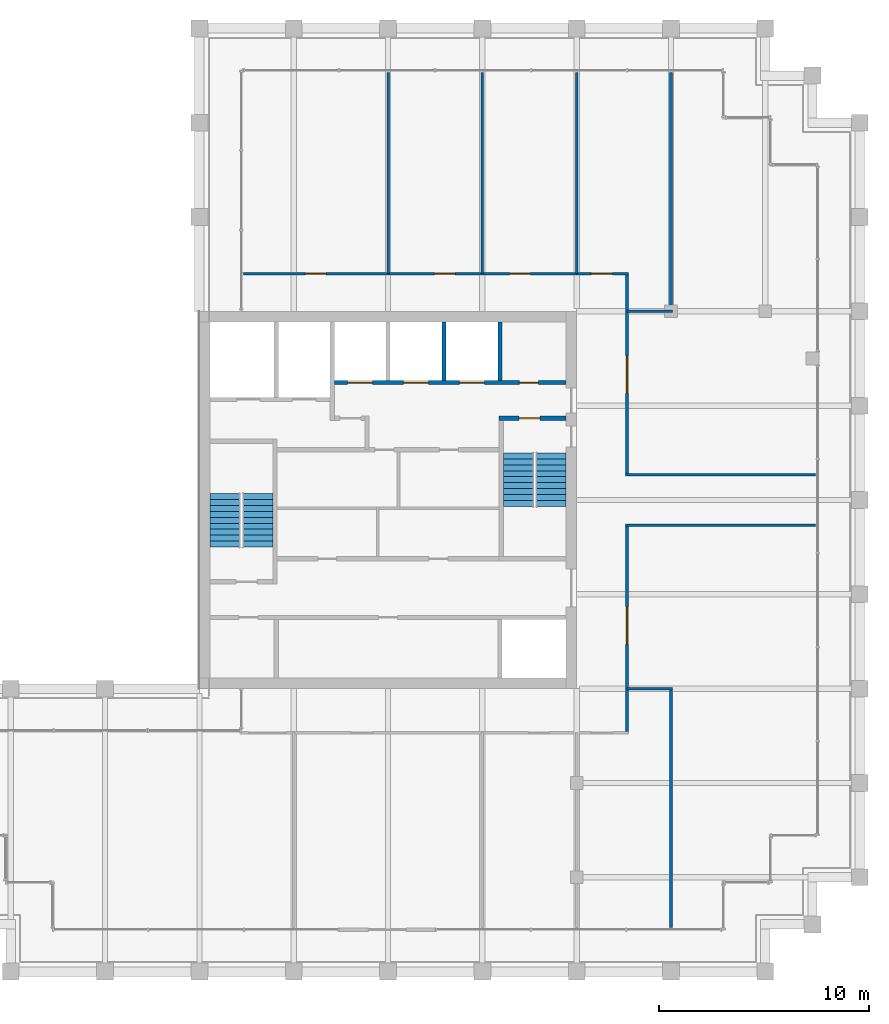
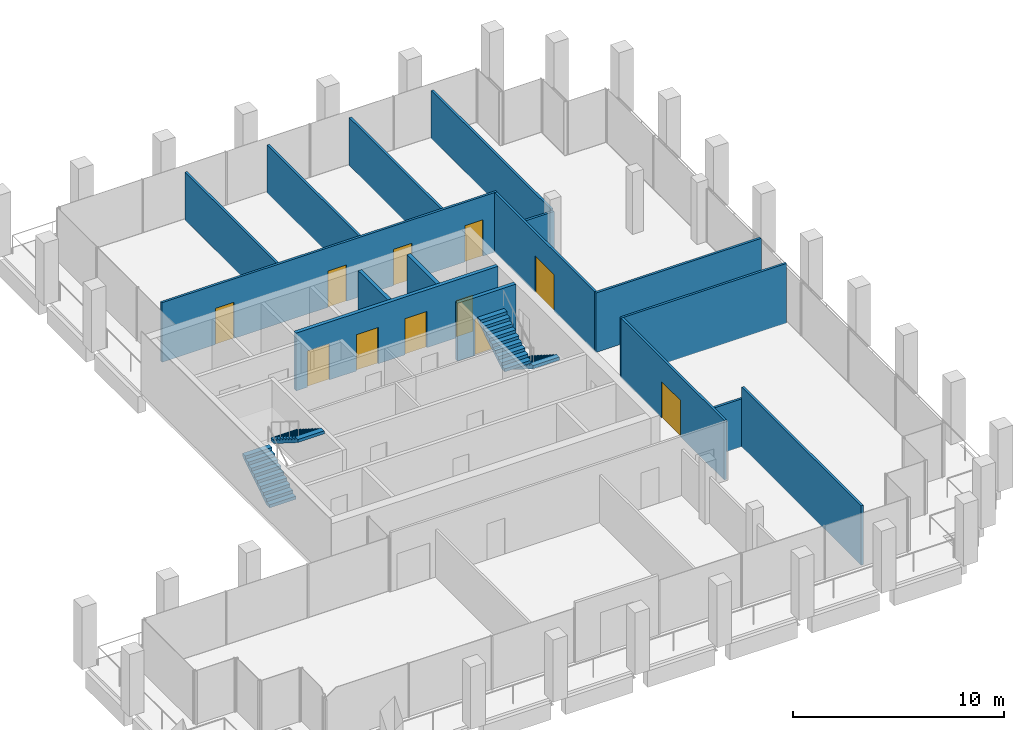
# One storey, part 29 of 30: 16 walls, 11 doors, 4 stair flights, 11 openings, 2 elements without a shape of their own.
"""IFC4 building model written with IfcOpenShell, lengths in metres."""

from ifc_helpers import new_model, si_unit, direction, frame, frame_2d, origin, place, context, subcontext, project, spatial, polyline, rectangle, outline, extrude, material, layer, layer_set, type_object, element, fill, aggregate, save


model = new_model("IFC4")

# Units and contexts
model_context = context("Model", 3, precision=1e-05, world=origin(), true_north=direction((0.0, 1.0)))
body_context = subcontext(model_context, "Body", "Model", "MODEL_VIEW")
ifc_project = project(units=[si_unit("LENGTHUNIT", "METRE"), si_unit("AREAUNIT", "SQUARE_METRE"), si_unit("VOLUMEUNIT", "CUBIC_METRE"), si_unit("PLANEANGLEUNIT", "RADIAN"), si_unit("MASSUNIT", "GRAM", prefix="KILO")], contexts=[model_context])

# Site, building, storey
site_placement = place(None, origin())
site = spatial("IfcSite", under=ifc_project, at=site_placement, CompositionType="ELEMENT")
building_placement = place(site_placement, origin())
building = spatial("IfcBuilding", under=site, at=building_placement, Name="Altepetl Exchange Towers", CompositionType="ELEMENT")
storey_placement = place(building_placement, frame((0.0, 0.0, 224.39990234375)))
storey = spatial("IfcBuildingStorey", under=building, at=storey_placement, Name="L57", CompositionType="ELEMENT", Elevation=224.39990234375)

# Walls
ifc_material_1 = material(Name="Timber panels on aluminium track", Category="wood")
ifc_layer_1 = layer(ifc_material_1, 0.125)
ifc_layer_set_1 = layer_set([ifc_layer_1], Name="Timber panels on aluminium track")
wall_type_1 = type_object("IfcWallType", Name="Operable acoustic partition 125", PredefinedType="MOVABLE", material=ifc_layer_set_1)
wall_1_placement = place(storey_placement, frame((58.5, 60.300048828125, 0.0), z_axis=(0.0, 0.0, 1.0), x_axis=(0.0, 1.0, 0.0)))
element("IfcWall", 1, at=wall_1_placement, inside=storey, type_object=wall_type_1, Name="wall:A:L57:P14", PredefinedType="MOVABLE", context=body_context, shape_type="SweptSolid", body=[
    extrude(rectangle(XDim=9.599853515625, YDim=0.125, at=frame_2d((4.7998046875, 0.0))), origin(), (0.0, 0.0, 1.0), 2.772216796875),
])
ifc_material_2 = material(Name="Gypsum board on steel studs", Category="steel")
ifc_layer_2 = layer(ifc_material_2, 0.125)
ifc_layer_set_2 = layer_set([ifc_layer_2], Name="Gypsum board on steel studs")
wall_type_2 = type_object("IfcWallType", Name="Partition 125 gypsum board on steel studs", PredefinedType="PARTITIONING", material=ifc_layer_set_2)
wall_2_placement = place(storey_placement, frame((60.89990234375, 40.5, 0.0)))
element("IfcWall", 2, at=wall_2_placement, inside=storey, type_object=wall_type_2, Name="wall:A:L57:P02", PredefinedType="PARTITIONING", context=body_context, shape_type="SweptSolid", body=[
    extrude(rectangle(XDim=2.16259765625, YDim=0.125, at=frame_2d((1.081298828125, 0.0))), origin(), (0.0, 0.0, 1.0), 2.772216796875),
])
for number, where, name in (
    (3, (60.83740234375, 48.300048828125, 0.0), "wall:A:L57:P03"),
    (4, (60.83740234375, 50.699951171875, 0.0), "wall:A:L57:P04"),
):
    element("IfcWall", number, at=place(storey_placement, frame(where)), inside=storey, type_object=wall_type_2, Name=name, PredefinedType="PARTITIONING", context=body_context, shape_type="SweptSolid", body=[
        extrude(rectangle(XDim=9.0625, YDim=0.125, at=frame_2d((4.53125, 0.0))), origin(), (0.0, 0.0, 1.0), 3.4501953125),
    ])
wall_3_placement = place(storey_placement, frame((60.89990234375, 58.5, 0.0)))
element("IfcWall", 5, at=wall_3_placement, inside=storey, type_object=wall_type_2, Name="wall:A:L57:P05", PredefinedType="PARTITIONING", context=body_context, shape_type="SweptSolid", body=[
    extrude(rectangle(XDim=2.16259765625, YDim=0.125, at=frame_2d((1.081298828125, 0.0))), origin(), (0.0, 0.0, 1.0), 2.676025390625),
])

# Wall, openings, doors
wall_4_placement = place(storey_placement, frame((42.60009765625, 60.300048828125, 0.0)))
wall_4 = element("IfcWall", 6, at=wall_4_placement, inside=storey, type_object=wall_type_2, Name="wall:A:L57:P06", PredefinedType="PARTITIONING", context=body_context, shape_type="SweptSolid", body=[
    extrude(rectangle(XDim=18.3623046875, YDim=0.125, at=frame_2d((9.18115234375, 0.0))), origin(), (0.0, 0.0, 1.0), 3.4501953125),
])
opening_1_placement = place(wall_4_placement, frame((16.60009765625, 0.0, 0.0)))
opening_1 = element("IfcOpeningElement", 7, at=opening_1_placement, cuts=wall_4, Name="Opening L57.A07", PredefinedType="OPENING", context=body_context, shape_type="SweptSolid", body=[
    extrude(rectangle(XDim=1.0, YDim=2.10009765625, at=frame_2d((0.5, 1.050048828125))), frame((0.0, 0.072509765625, 0.0), z_axis=(0.0, -1.0, 0.0), x_axis=(1.0, 0.0, 0.0)), (0.0, 0.0, 1.0), 0.14501953125),
])
opening_2_placement = place(wall_4_placement, frame((12.695068359375, 0.0, 0.0)))
opening_2 = element("IfcOpeningElement", 8, at=opening_2_placement, cuts=wall_4, Name="Opening L57.A08", PredefinedType="OPENING", context=body_context, shape_type="SweptSolid", body=[
    extrude(rectangle(XDim=1.0, YDim=2.10009765625, at=frame_2d((0.5, 1.050048828125))), frame((0.0, 0.072509765625, 0.0), z_axis=(0.0, -1.0, 0.0), x_axis=(1.0, 0.0, 0.0)), (0.0, 0.0, 1.0), 0.14501953125),
])
opening_3_placement = place(wall_4_placement, frame((9.10498046875, 0.0, 0.0)))
opening_3 = element("IfcOpeningElement", 9, at=opening_3_placement, cuts=wall_4, Name="Opening L57.A09", PredefinedType="OPENING", context=body_context, shape_type="SweptSolid", body=[
    extrude(rectangle(XDim=1.0, YDim=2.10009765625, at=frame_2d((0.5, 1.050048828125))), frame((0.0, 0.072509765625, 0.0), z_axis=(0.0, -1.0, 0.0), x_axis=(1.0, 0.0, 0.0)), (0.0, 0.0, 1.0), 0.14501953125),
])
opening_4_placement = place(wall_4_placement, frame((2.949951171875, 0.0, 0.0)))
opening_4 = element("IfcOpeningElement", 10, at=opening_4_placement, cuts=wall_4, Name="Opening L57.A10", PredefinedType="OPENING", context=body_context, shape_type="SweptSolid", body=[
    extrude(rectangle(XDim=1.0, YDim=2.10009765625, at=frame_2d((0.5, 1.050048828125))), frame((0.0, 0.072509765625, 0.0), z_axis=(0.0, -1.0, 0.0), x_axis=(1.0, 0.0, 0.0)), (0.0, 0.0, 1.0), 0.14501953125),
])
ifc_material_3 = material(Name="Steel and timber fire door", Category="steel")
door_type_1 = type_object("IfcDoorType", Name="Fire door 1000 x 2100 single leaf", OperationType="SINGLE_SWING_LEFT", PredefinedType="DOOR", material=ifc_material_3)
door_1_placement = place(opening_1_placement, origin())
door_1 = element("IfcDoor", 11, at=door_1_placement, inside=storey, type_object=door_type_1, Name="door:A:L57:07", OperationType="SINGLE_SWING_RIGHT", OverallHeight=2.10009765625, OverallWidth=1.0, PredefinedType="DOOR", context=body_context, shape_type="SweptSolid", body=[
    extrude(rectangle(XDim=1.0, YDim=2.10009765625, at=frame_2d((0.5, 1.050048828125))), frame((0.0, 0.02490234375, 0.0), z_axis=(0.0, -1.0, 0.0), x_axis=(1.0, 0.0, 0.0)), (0.0, 0.0, 1.0), 0.050048828125),
])
fill(opening_1, door_1)
door_2_placement = place(opening_2_placement, origin())
door_2 = element("IfcDoor", 12, at=door_2_placement, inside=storey, type_object=door_type_1, Name="door:A:L57:08", OperationType="SINGLE_SWING_LEFT", OverallHeight=2.10009765625, OverallWidth=1.0, PredefinedType="DOOR", context=body_context, shape_type="SweptSolid", body=[
    extrude(rectangle(XDim=1.0, YDim=2.10009765625, at=frame_2d((0.5, 1.050048828125))), frame((0.0, 0.02490234375, 0.0), z_axis=(0.0, -1.0, 0.0), x_axis=(1.0, 0.0, 0.0)), (0.0, 0.0, 1.0), 0.050048828125),
])
fill(opening_2, door_2)
door_3_placement = place(opening_3_placement, origin())
door_3 = element("IfcDoor", 13, at=door_3_placement, inside=storey, type_object=door_type_1, Name="door:A:L57:09", OperationType="SINGLE_SWING_RIGHT", OverallHeight=2.10009765625, OverallWidth=1.0, PredefinedType="DOOR", context=body_context, shape_type="SweptSolid", body=[
    extrude(rectangle(XDim=1.0, YDim=2.10009765625, at=frame_2d((0.5, 1.050048828125))), frame((0.0, 0.02490234375, 0.0), z_axis=(0.0, -1.0, 0.0), x_axis=(1.0, 0.0, 0.0)), (0.0, 0.0, 1.0), 0.050048828125),
])
fill(opening_3, door_3)
door_4_placement = place(opening_4_placement, origin())
door_4 = element("IfcDoor", 14, at=door_4_placement, inside=storey, type_object=door_type_1, Name="door:A:L57:10", OperationType="SINGLE_SWING_RIGHT", OverallHeight=2.10009765625, OverallWidth=1.0, PredefinedType="DOOR", context=body_context, shape_type="SweptSolid", body=[
    extrude(rectangle(XDim=1.0, YDim=2.10009765625, at=frame_2d((0.5, 1.050048828125))), frame((0.0, 0.02490234375, 0.0), z_axis=(0.0, -1.0, 0.0), x_axis=(1.0, 0.0, 0.0)), (0.0, 0.0, 1.0), 0.050048828125),
])
fill(opening_4, door_4)

# Walls
for number, where, z_axis, x_axis, name in (
    (15, (49.5, 60.300048828125, 0.0), (0.0, 0.0, 1.0), (0.0, 1.0, 0.0), "wall:A:L57:P08"),
    (16, (54.0, 60.300048828125, 0.0), (0.0, 0.0, 1.0), (0.0, 1.0, 0.0), "wall:A:L57:P10"),
):
    element("IfcWall", number, at=place(storey_placement, frame(where, z_axis=z_axis, x_axis=x_axis)), inside=storey, type_object=wall_type_2, Name=name, PredefinedType="PARTITIONING", context=body_context, shape_type="SweptSolid", body=[
        extrude(rectangle(XDim=9.599853515625, YDim=0.125, at=frame_2d((4.7998046875, 0.0))), origin(), (0.0, 0.0, 1.0), 2.772216796875),
    ])

# Wall, opening, door
wall_5_placement = place(storey_placement, frame((60.89990234375, 38.46240234375, 0.0), z_axis=(0.0, 0.0, 1.0), x_axis=(0.0, 1.0, 0.0)))
wall_5 = element("IfcWall", 17, at=wall_5_placement, inside=storey, type_object=wall_type_2, Name="wall:A:L57:P15", PredefinedType="PARTITIONING", context=body_context, shape_type="SweptSolid", body=[
    extrude(rectangle(XDim=9.775146484375, YDim=0.125, at=frame_2d((4.8876953125, 0.0))), origin(), (0.0, 0.0, 1.0), 3.4501953125),
])
opening_5_placement = place(wall_5_placement, frame((4.1455078125, 0.0, 0.0)))
opening_5 = element("IfcOpeningElement", 18, at=opening_5_placement, cuts=wall_5, Name="Opening L57.A05", PredefinedType="OPENING", context=body_context, shape_type="SweptSolid", body=[
    extrude(rectangle(XDim=1.800048828125, YDim=2.10009765625, at=frame_2d((0.89990234375, 1.050048828125))), frame((0.0, 0.072509765625, 0.0), z_axis=(0.0, -1.0, 0.0), x_axis=(1.0, 0.0, 0.0)), (0.0, 0.0, 1.0), 0.14501953125),
])
door_type_2 = type_object("IfcDoorType", Name="Fire door 1800 x 2100 double leaf", OperationType="DOUBLE_DOOR_SINGLE_SWING", PredefinedType="DOOR", material=ifc_material_3)
door_5_placement = place(opening_5_placement, frame((1.800048828125, 0.0, 0.0), x_axis=(-1.0, 0.0, 0.0)))
door_5 = element("IfcDoor", 19, at=door_5_placement, inside=storey, type_object=door_type_2, Name="door:A:L57:05", OperationType="DOUBLE_DOOR_SINGLE_SWING", OverallHeight=2.10009765625, OverallWidth=1.800048828125, PredefinedType="DOOR", context=body_context, shape_type="SweptSolid", body=[
    extrude(rectangle(XDim=1.800048828125, YDim=2.10009765625, at=frame_2d((0.89990234375, 1.050048828125))), frame((0.0, 0.02490234375, 0.0), z_axis=(0.0, -1.0, 0.0), x_axis=(1.0, 0.0, 0.0)), (0.0, 0.0, 1.0), 0.050048828125),
])
fill(opening_5, door_5)

wall_6_placement = place(storey_placement, frame((60.89990234375, 50.762451171875, 0.0), z_axis=(0.0, 0.0, 1.0), x_axis=(0.0, 1.0, 0.0)))
wall_6 = element("IfcWall", 20, at=wall_6_placement, inside=storey, type_object=wall_type_2, Name="wall:A:L57:P16", PredefinedType="PARTITIONING", context=body_context, shape_type="SweptSolid", body=[
    extrude(rectangle(XDim=9.47509765625, YDim=0.125, at=frame_2d((4.737548828125, 0.0))), origin(), (0.0, 0.0, 1.0), 3.4501953125),
])
opening_6_placement = place(wall_6_placement, frame((3.82958984375, 0.0, 0.0)))
opening_6 = element("IfcOpeningElement", 21, at=opening_6_placement, cuts=wall_6, Name="Opening L57.A06", PredefinedType="OPENING", context=body_context, shape_type="SweptSolid", body=[
    extrude(rectangle(XDim=1.800048828125, YDim=2.10009765625, at=frame_2d((0.89990234375, 1.050048828125))), frame((0.0, 0.072509765625, 0.0), z_axis=(0.0, -1.0, 0.0), x_axis=(1.0, 0.0, 0.0)), (0.0, 0.0, 1.0), 0.14501953125),
])
door_6_placement = place(opening_6_placement, frame((1.800048828125, 0.0, 0.0), x_axis=(-1.0, 0.0, 0.0)))
door_6 = element("IfcDoor", 22, at=door_6_placement, inside=storey, type_object=door_type_2, Name="door:A:L57:06", OperationType="DOUBLE_DOOR_SINGLE_SWING", OverallHeight=2.10009765625, OverallWidth=1.800048828125, PredefinedType="DOOR", context=body_context, shape_type="SweptSolid", body=[
    extrude(rectangle(XDim=1.800048828125, YDim=2.10009765625, at=frame_2d((0.89990234375, 1.050048828125))), frame((0.0, 0.02490234375, 0.0), z_axis=(0.0, -1.0, 0.0), x_axis=(1.0, 0.0, 0.0)), (0.0, 0.0, 1.0), 0.050048828125),
])
fill(opening_6, door_6)

# Walls
wall_7_placement = place(storey_placement, frame((63.0, 29.10009765625, 0.0), z_axis=(0.0, 0.0, 1.0), x_axis=(0.0, 1.0, 0.0)))
element("IfcWall", 23, at=wall_7_placement, inside=storey, type_object=wall_type_2, Name="wall:A:L57:P17", PredefinedType="PARTITIONING", context=body_context, shape_type="SweptSolid", body=[
    extrude(rectangle(XDim=11.33740234375, YDim=0.125, at=frame_2d((5.668701171875, 0.0))), origin(), (0.0, 0.0, 1.0), 3.4501953125),
])
wall_8_placement = place(storey_placement, frame((63.0, 58.5625, 0.0), z_axis=(0.0, 0.0, 1.0), x_axis=(0.0, 1.0, 0.0)))
element("IfcWall", 24, at=wall_8_placement, inside=storey, type_object=wall_type_2, Name="wall:A:L57:P18", PredefinedType="PARTITIONING", context=body_context, shape_type="SweptSolid", body=[
    extrude(rectangle(XDim=11.33740234375, YDim=0.125, at=frame_2d((5.668701171875, 0.0))), origin(), (0.0, 0.0, 1.0), 2.772216796875),
])
ifc_material_4 = material(Name="Concrete C40/50", Category="concrete")
ifc_layer_3 = layer(ifc_material_4, 0.199951171875)
ifc_layer_set_3 = layer_set([ifc_layer_3], Name="Concrete C40/50")
wall_type_3 = type_object("IfcWallType", Name="Shaft wall 200 reinforced concrete", PredefinedType="SHEAR", material=ifc_layer_set_3)
for number, where, z_axis, x_axis, name in (
    (25, (52.166748046875, 58.0, 0.0), (0.0, 0.0, 1.0), (0.0, -1.0, 0.0), "wall:A:L57:K-divN4"),
    (26, (54.833251953125, 58.0, 0.0), (0.0, 0.0, 1.0), (0.0, -1.0, 0.0), "wall:A:L57:K-divN5"),
):
    element("IfcWall", number, at=place(storey_placement, frame(where, z_axis=z_axis, x_axis=x_axis)), inside=storey, type_object=wall_type_3, Name=name, PredefinedType="SHEAR", context=body_context, shape_type="SweptSolid", body=[
        extrude(rectangle(XDim=2.800048828125, YDim=0.199951171875, at=frame_2d((1.39990234375, 0.0))), origin(), (0.0, 0.0, 1.0), 3.35009765625),
    ])

# Wall, openings, doors
wall_9_placement = place(storey_placement, frame((46.933349609375, 55.10009765625, 0.0)))
wall_9 = element("IfcWall", 27, at=wall_9_placement, inside=storey, type_object=wall_type_3, Name="wall:A:L57:K-frontNb", PredefinedType="SHEAR", context=body_context, shape_type="SweptSolid", body=[
    extrude(rectangle(XDim=11.066650390625, YDim=0.199951171875, at=frame_2d((5.533203125, 0.0))), origin(), (0.0, 0.0, 1.0), 3.35009765625),
])
opening_7_placement = place(wall_9_placement, frame((8.83349609375, 0.0, 0.0)))
opening_7 = element("IfcOpeningElement", 28, at=opening_7_placement, cuts=wall_9, Name="Opening L57.A66", PredefinedType="OPENING", context=body_context, shape_type="SweptSolid", body=[
    extrude(rectangle(XDim=0.89990234375, YDim=2.10009765625, at=frame_2d((0.449951171875, 1.050048828125))), frame((0.0, 0.10986328125, 0.0), z_axis=(0.0, -1.0, 0.0), x_axis=(1.0, 0.0, 0.0)), (0.0, 0.0, 1.0), 0.219970703125),
])
opening_8_placement = place(wall_9_placement, frame((0.63330078125, 0.0, 0.0)))
opening_8 = element("IfcOpeningElement", 29, at=opening_8_placement, cuts=wall_9, Name="Opening L57.A75", PredefinedType="OPENING", context=body_context, shape_type="SweptSolid", body=[
    extrude(rectangle(XDim=1.199951171875, YDim=2.10009765625, at=frame_2d((0.60009765625, 1.050048828125))), frame((0.0, 0.10986328125, 0.0), z_axis=(0.0, -1.0, 0.0), x_axis=(1.0, 0.0, 0.0)), (0.0, 0.0, 1.0), 0.219970703125),
])
opening_9_placement = place(wall_9_placement, frame((3.300048828125, 0.0, 0.0)))
opening_9 = element("IfcOpeningElement", 30, at=opening_9_placement, cuts=wall_9, Name="Opening L57.A76", PredefinedType="OPENING", context=body_context, shape_type="SweptSolid", body=[
    extrude(rectangle(XDim=1.199951171875, YDim=2.10009765625, at=frame_2d((0.60009765625, 1.050048828125))), frame((0.0, 0.10986328125, 0.0), z_axis=(0.0, -1.0, 0.0), x_axis=(1.0, 0.0, 0.0)), (0.0, 0.0, 1.0), 0.219970703125),
])
opening_10_placement = place(wall_9_placement, frame((5.966796875, 0.0, 0.0)))
opening_10 = element("IfcOpeningElement", 31, at=opening_10_placement, cuts=wall_9, Name="Opening L57.A77", PredefinedType="OPENING", context=body_context, shape_type="SweptSolid", body=[
    extrude(rectangle(XDim=1.199951171875, YDim=2.10009765625, at=frame_2d((0.60009765625, 1.050048828125))), frame((0.0, 0.10986328125, 0.0), z_axis=(0.0, -1.0, 0.0), x_axis=(1.0, 0.0, 0.0)), (0.0, 0.0, 1.0), 0.219970703125),
])
door_type_3 = type_object("IfcDoorType", Name="Fire door 900 x 2100 service room", OperationType="SINGLE_SWING_LEFT", PredefinedType="DOOR", material=ifc_material_3)
door_7_placement = place(opening_7_placement, origin())
door_7 = element("IfcDoor", 32, at=door_7_placement, inside=storey, type_object=door_type_3, Name="door:A:L57:K-driser", OperationType="SINGLE_SWING_RIGHT", OverallHeight=2.10009765625, OverallWidth=0.89990234375, PredefinedType="DOOR", context=body_context, shape_type="SweptSolid", body=[
    extrude(rectangle(XDim=0.89990234375, YDim=2.10009765625, at=frame_2d((0.449951171875, 1.050048828125))), frame((0.0, 0.02490234375, 0.0), z_axis=(0.0, -1.0, 0.0), x_axis=(1.0, 0.0, 0.0)), (0.0, 0.0, 1.0), 0.050048828125),
])
fill(opening_7, door_7)
ifc_material_5 = material(Name="Stainless steel", Category="steel")
door_type_4 = type_object("IfcDoorType", Name="Lift landing door 1200 x 2100", OperationType="SLIDING_TO_LEFT", PredefinedType="DOOR", material=ifc_material_5)
door_8_placement = place(opening_8_placement, origin())
door_8 = element("IfcDoor", 33, at=door_8_placement, inside=storey, type_object=door_type_4, Name="Landing door P5", OperationType="SLIDING_TO_LEFT", OverallHeight=2.10009765625, OverallWidth=1.199951171875, PredefinedType="DOOR", context=body_context, shape_type="SweptSolid", body=[
    extrude(rectangle(XDim=1.199951171875, YDim=2.10009765625, at=frame_2d((0.60009765625, 1.050048828125))), frame((0.0, 0.02490234375, 0.0), z_axis=(0.0, -1.0, 0.0), x_axis=(1.0, 0.0, 0.0)), (0.0, 0.0, 1.0), 0.050048828125),
])
fill(opening_8, door_8)
door_9_placement = place(opening_9_placement, origin())
door_9 = element("IfcDoor", 34, at=door_9_placement, inside=storey, type_object=door_type_4, Name="Landing door P6", OperationType="SLIDING_TO_LEFT", OverallHeight=2.10009765625, OverallWidth=1.199951171875, PredefinedType="DOOR", context=body_context, shape_type="SweptSolid", body=[
    extrude(rectangle(XDim=1.199951171875, YDim=2.10009765625, at=frame_2d((0.60009765625, 1.050048828125))), frame((0.0, 0.02490234375, 0.0), z_axis=(0.0, -1.0, 0.0), x_axis=(1.0, 0.0, 0.0)), (0.0, 0.0, 1.0), 0.050048828125),
])
fill(opening_9, door_9)
door_10_placement = place(opening_10_placement, origin())
door_10 = element("IfcDoor", 35, at=door_10_placement, inside=storey, type_object=door_type_4, Name="Landing door P7", OperationType="SLIDING_TO_LEFT", OverallHeight=2.10009765625, OverallWidth=1.199951171875, PredefinedType="DOOR", context=body_context, shape_type="SweptSolid", body=[
    extrude(rectangle(XDim=1.199951171875, YDim=2.10009765625, at=frame_2d((0.60009765625, 1.050048828125))), frame((0.0, 0.02490234375, 0.0), z_axis=(0.0, -1.0, 0.0), x_axis=(1.0, 0.0, 0.0)), (0.0, 0.0, 1.0), 0.050048828125),
])
fill(opening_10, door_10)

# Wall, opening, door
ifc_layer_4 = layer(ifc_material_4, 0.199951171875)
ifc_layer_set_4 = layer_set([ifc_layer_4], Name="Concrete C40/50")
wall_type_4 = type_object("IfcWallType", Name="Stair wall 200 reinforced concrete", PredefinedType="SHEAR", material=ifc_layer_set_4)
wall_10_placement = place(storey_placement, frame((54.800048828125, 53.39990234375, 0.0)))
wall_10 = element("IfcWall", 36, at=wall_10_placement, inside=storey, type_object=wall_type_4, Name="wall:A:L57:K-stS2N", PredefinedType="SHEAR", context=body_context, shape_type="SweptSolid", body=[
    extrude(rectangle(XDim=3.199951171875, YDim=0.199951171875, at=frame_2d((1.60009765625, 0.0))), origin(), (0.0, 0.0, 1.0), 3.35009765625),
])
opening_11_placement = place(wall_10_placement, frame((0.949951171875, 0.0, 0.0)))
opening_11 = element("IfcOpeningElement", 37, at=opening_11_placement, cuts=wall_10, Name="Opening L57.A63", PredefinedType="OPENING", context=body_context, shape_type="SweptSolid", body=[
    extrude(rectangle(XDim=1.0, YDim=2.10009765625, at=frame_2d((0.5, 1.050048828125))), frame((0.0, 0.10986328125, 0.0), z_axis=(0.0, -1.0, 0.0), x_axis=(1.0, 0.0, 0.0)), (0.0, 0.0, 1.0), 0.219970703125),
])
door_type_5 = type_object("IfcDoorType", Name="Fire door 1000 x 2100 stair and lobby", OperationType="SINGLE_SWING_LEFT", PredefinedType="DOOR", material=ifc_material_3)
door_11_placement = place(opening_11_placement, frame((1.0, 0.0, 0.0), x_axis=(-1.0, 0.0, 0.0)))
door_11 = element("IfcDoor", 38, at=door_11_placement, inside=storey, type_object=door_type_5, Name="door:A:L57:K-dS2in", OperationType="SINGLE_SWING_LEFT", OverallHeight=2.10009765625, OverallWidth=1.0, PredefinedType="DOOR", context=body_context, shape_type="SweptSolid", body=[
    extrude(rectangle(XDim=1.0, YDim=2.10009765625, at=frame_2d((0.5, 1.050048828125))), frame((0.0, 0.02490234375, 0.0), z_axis=(0.0, -1.0, 0.0), x_axis=(1.0, 0.0, 0.0)), (0.0, 0.0, 1.0), 0.050048828125),
])
fill(opening_11, door_11)

# Stair, stair flights
stair_type = type_object("IfcStairType", Name="Exit stair 1450 flights dogleg", PredefinedType="HALF_TURN_STAIR", material=ifc_material_4)
stair_1_placement = place(storey_placement, origin())
stair_1 = element("IfcStair", 39, at=stair_1_placement, inside=storey, type_object=stair_type, Name="Exit stair 1", PredefinedType="HALF_TURN_STAIR")
stair_flight_type = type_object("IfcStairFlightType", Name="Stair flight 1450 wide", PredefinedType="STRAIGHT", material=ifc_material_4)
stair_flight_1_placement = place(storey_placement, frame((41.72509765625, 47.25, 0.0), z_axis=(0.0, 0.0, 1.0), x_axis=(0.0, 1.0, 0.0)))
stair_flight_1 = element("IfcStairFlight", 40, at=stair_flight_1_placement, type_object=stair_flight_type, Name="ST-A1f flight 1", NumberOfRisers=10, NumberOfTreads=9, PredefinedType="STRAIGHT", RiserHeight=0.18, TreadLength=0.285, context=body_context, shape_type="SweptSolid", body=[
    extrude(outline(polyline([(0.0, 0.0), (0.0, 0.179931640625), (0.284912109375, 0.179931640625), (0.284912109375, 0.360107421875), (0.570068359375, 0.360107421875), (0.570068359375, 0.5400390625), (0.85498046875, 0.5400390625), (0.85498046875, 0.719970703125), (1.139892578125, 0.719970703125), (1.139892578125, 0.89990234375), (1.425048828125, 0.89990234375), (1.425048828125, 1.080078125), (1.7099609375, 1.080078125), (1.7099609375, 1.260009765625), (1.9951171875, 1.260009765625), (1.9951171875, 1.43994140625), (2.280029296875, 1.43994140625), (2.280029296875, 1.6201171875), (2.56494140625, 1.6201171875), (2.56494140625, 1.800048828125), (2.56494140625, 1.442626953125), (0.28076171875, 0.0), (0.0, 0.0)])), frame((0.0, 0.72509765625, 0.0), z_axis=(0.0, -1.0, 0.0), x_axis=(1.0, 0.0, 0.0)), (0.0, 0.0, 1.0), 1.449951171875),
])
stair_flight_2_placement = place(storey_placement, frame((43.27490234375, 49.81494140625, 1.800048828125), z_axis=(0.0, 0.0, 1.0), x_axis=(0.0, -1.0, 0.0)))
stair_flight_2 = element("IfcStairFlight", 41, at=stair_flight_2_placement, type_object=stair_flight_type, Name="ST-A1f flight 2", NumberOfRisers=10, NumberOfTreads=9, PredefinedType="STRAIGHT", RiserHeight=0.18, TreadLength=0.285, context=body_context, shape_type="SweptSolid", body=[
    extrude(outline(polyline([(0.0, 0.0), (0.0, 0.179931640625), (0.284912109375, 0.179931640625), (0.284912109375, 0.360107421875), (0.570068359375, 0.360107421875), (0.570068359375, 0.5400390625), (0.85498046875, 0.5400390625), (0.85498046875, 0.719970703125), (1.139892578125, 0.719970703125), (1.139892578125, 0.89990234375), (1.425048828125, 0.89990234375), (1.425048828125, 1.080078125), (1.7099609375, 1.080078125), (1.7099609375, 1.260009765625), (1.9951171875, 1.260009765625), (1.9951171875, 1.43994140625), (2.280029296875, 1.43994140625), (2.280029296875, 1.6201171875), (2.56494140625, 1.6201171875), (2.56494140625, 1.800048828125), (2.56494140625, 1.442626953125), (0.28076171875, 0.0), (0.0, 0.0)])), frame((0.0, 0.72509765625, 0.0), z_axis=(0.0, -1.0, 0.0), x_axis=(1.0, 0.0, 0.0)), (0.0, 0.0, 1.0), 1.449951171875),
])
aggregate(stair_1, [stair_flight_1, stair_flight_2])

stair_2_placement = place(storey_placement, origin())
stair_2 = element("IfcStair", 42, at=stair_2_placement, inside=storey, type_object=stair_type, Name="Exit stair 2", PredefinedType="HALF_TURN_STAIR")
stair_flight_3_placement = place(storey_placement, frame((57.27490234375, 51.75, 0.0), z_axis=(0.0, 0.0, 1.0), x_axis=(0.0, -1.0, 0.0)))
stair_flight_3 = element("IfcStairFlight", 43, at=stair_flight_3_placement, type_object=stair_flight_type, Name="ST-A2f flight 1", NumberOfRisers=10, NumberOfTreads=9, PredefinedType="STRAIGHT", RiserHeight=0.18, TreadLength=0.285, context=body_context, shape_type="SweptSolid", body=[
    extrude(outline(polyline([(0.0, 0.0), (0.0, 0.179931640625), (0.284912109375, 0.179931640625), (0.284912109375, 0.360107421875), (0.570068359375, 0.360107421875), (0.570068359375, 0.5400390625), (0.85498046875, 0.5400390625), (0.85498046875, 0.719970703125), (1.139892578125, 0.719970703125), (1.139892578125, 0.89990234375), (1.425048828125, 0.89990234375), (1.425048828125, 1.080078125), (1.7099609375, 1.080078125), (1.7099609375, 1.260009765625), (1.9951171875, 1.260009765625), (1.9951171875, 1.43994140625), (2.280029296875, 1.43994140625), (2.280029296875, 1.6201171875), (2.56494140625, 1.6201171875), (2.56494140625, 1.800048828125), (2.56494140625, 1.442626953125), (0.28076171875, 0.0), (0.0, 0.0)])), frame((0.0, 0.72509765625, 0.0), z_axis=(0.0, -1.0, 0.0), x_axis=(1.0, 0.0, 0.0)), (0.0, 0.0, 1.0), 1.449951171875),
])
stair_flight_4_placement = place(storey_placement, frame((55.72509765625, 49.18505859375, 1.800048828125), z_axis=(0.0, 0.0, 1.0), x_axis=(0.0, 1.0, 0.0)))
stair_flight_4 = element("IfcStairFlight", 44, at=stair_flight_4_placement, type_object=stair_flight_type, Name="ST-A2f flight 2", NumberOfRisers=10, NumberOfTreads=9, PredefinedType="STRAIGHT", RiserHeight=0.18, TreadLength=0.285, context=body_context, shape_type="SweptSolid", body=[
    extrude(outline(polyline([(0.0, 0.0), (0.0, 0.179931640625), (0.284912109375, 0.179931640625), (0.284912109375, 0.360107421875), (0.570068359375, 0.360107421875), (0.570068359375, 0.5400390625), (0.85498046875, 0.5400390625), (0.85498046875, 0.719970703125), (1.139892578125, 0.719970703125), (1.139892578125, 0.89990234375), (1.425048828125, 0.89990234375), (1.425048828125, 1.080078125), (1.7099609375, 1.080078125), (1.7099609375, 1.260009765625), (1.9951171875, 1.260009765625), (1.9951171875, 1.43994140625), (2.280029296875, 1.43994140625), (2.280029296875, 1.6201171875), (2.56494140625, 1.6201171875), (2.56494140625, 1.800048828125), (2.56494140625, 1.442626953125), (0.28076171875, 0.0), (0.0, 0.0)])), frame((0.0, 0.72509765625, 0.0), z_axis=(0.0, -1.0, 0.0), x_axis=(1.0, 0.0, 0.0)), (0.0, 0.0, 1.0), 1.449951171875),
])
aggregate(stair_2, [stair_flight_3, stair_flight_4])

save(model, "model.ifc")
